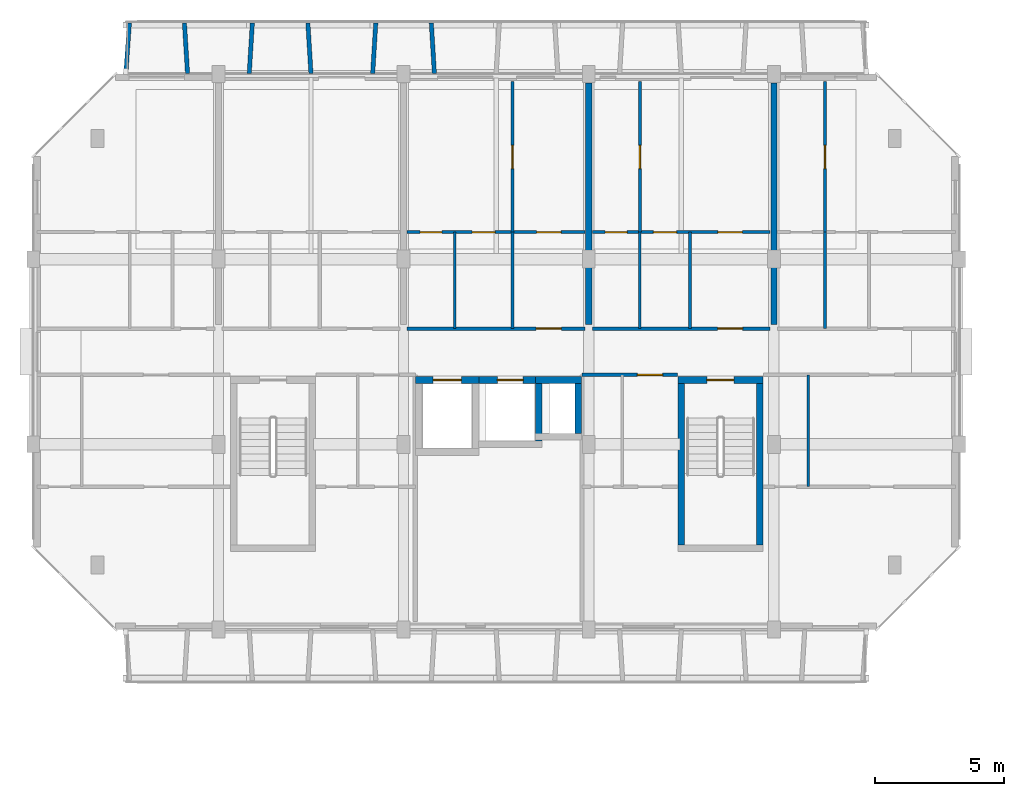
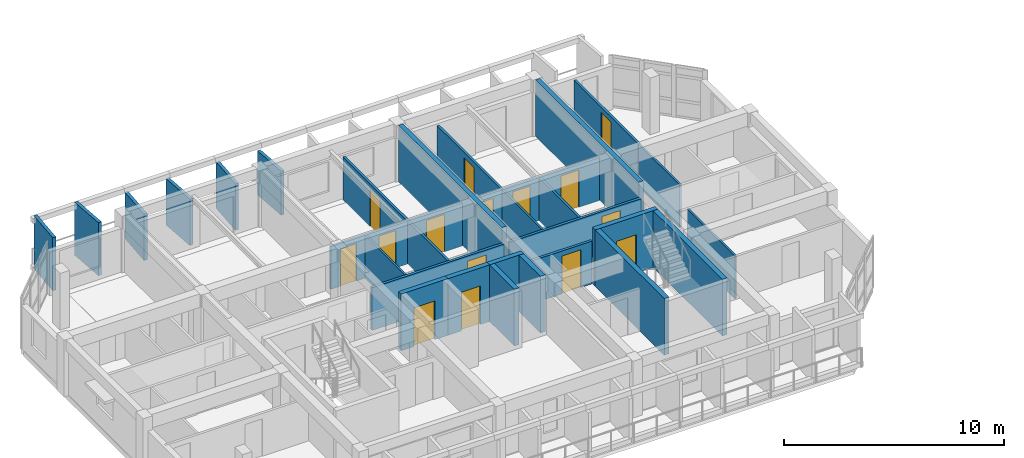
# One storey, part 27 of 51: 30 walls, 15 doors, 15 openings.
"""IFC4 building model written with IfcOpenShell, lengths in metres."""

from ifc_helpers import new_model, si_unit, direction, frame, frame_2d, origin, place, context, subcontext, project, spatial, rectangle, extrude, material, layer, layer_set, type_object, element, fill, save


model = new_model("IFC4")

# Units and contexts
model_context = context("Model", 3, precision=1e-05, world=origin(), true_north=direction((0.0, 1.0)))
body_context = subcontext(model_context, "Body", "Model", "MODEL_VIEW")
ifc_project = project(units=[si_unit("LENGTHUNIT", "METRE"), si_unit("AREAUNIT", "SQUARE_METRE"), si_unit("VOLUMEUNIT", "CUBIC_METRE"), si_unit("PLANEANGLEUNIT", "RADIAN"), si_unit("MASSUNIT", "GRAM", prefix="KILO")], contexts=[model_context])

# Site, building, storey
site_placement = place(None, origin())
site = spatial("IfcSite", under=ifc_project, at=site_placement, CompositionType="ELEMENT")
building_placement = place(site_placement, origin())
building = spatial("IfcBuilding", under=site, at=building_placement, Name="Ochrevale Crest", CompositionType="ELEMENT")
storey_placement = place(building_placement, frame((0.0, 0.0, 11.85009765625)))
storey = spatial("IfcBuildingStorey", under=building, at=storey_placement, Name="L03", CompositionType="ELEMENT", Elevation=11.85009765625)

# Wall, opening, door
ifc_material_1 = material(Name="Gypsum plasterboard", Category="gypsum")
ifc_layer_1 = layer(ifc_material_1, 0.139892578125)
ifc_layer_set_1 = layer_set([ifc_layer_1], Name="Gypsum plasterboard")
wall_type_1 = type_object("IfcWallType", Name="WL-COR-140", PredefinedType="PARTITIONING", material=ifc_layer_set_1)
wall_1_placement = place(storey_placement, frame((14.5400390625, 83.699951171875, 0.0), z_axis=(0.0, 0.0, 1.0), x_axis=(1.0, 0.0, 0.0)))
wall_1 = element("IfcWall", 1, at=wall_1_placement, inside=storey, type_object=wall_type_1, Name="Apartment B-L03-U3 corridor wall", PredefinedType="PARTITIONING", context=body_context, shape_type="SweptSolid", body=[
    extrude(rectangle(XDim=6.919921875, YDim=0.139892578125, at=frame_2d((3.4599609375, 0.0))), origin(), (0.0, 0.0, 1.0), 2.3798828125),
])
opening_1_placement = place(wall_1_placement, frame((6.0, 0.0, 0.0), z_axis=(0.0, 0.0, 1.0), x_axis=(-1.0, 0.0, 0.0)))
opening_1 = element("IfcOpeningElement", 2, at=opening_1_placement, cuts=wall_1, Name="Opening FD01", PredefinedType="OPENING", context=body_context, shape_type="SweptSolid", body=[
    extrude(rectangle(XDim=0.97998046875, YDim=2.10009765625, at=frame_2d((0.489990234375, 1.050048828125))), frame((0.0, 0.080078125, 0.0), z_axis=(0.0, -1.0, 0.0), x_axis=(1.0, 0.0, 0.0)), (0.0, 0.0, 1.0), 0.159912109375),
])
ifc_material_2 = material(Name="Solid-core FSC hardwood", Category="wood")
door_type_1 = type_object("IfcDoorType", Name="DR-APT-950", OperationType="NOTDEFINED", PredefinedType="DOOR", material=ifc_material_2)
door_1_placement = place(opening_1_placement, origin())
door_1 = element("IfcDoor", 3, at=door_1_placement, inside=storey, type_object=door_type_1, Name="Apartment B-L03-U3 entrance door", OperationType="SINGLE_SWING_RIGHT", OverallHeight=2.10009765625, OverallWidth=0.97998046875, PredefinedType="DOOR", context=body_context, shape_type="SweptSolid", body=[
    extrude(rectangle(XDim=0.97998046875, YDim=2.10009765625, at=frame_2d((0.489990234375, 1.050048828125))), frame((0.0, 0.02490234375, 0.0), z_axis=(0.0, -1.0, 0.0), x_axis=(1.0, 0.0, 0.0)), (0.0, 0.0, 1.0), 0.050048828125),
])
fill(opening_1, door_1)

wall_2_placement = place(storey_placement, frame((21.739990234375, 83.699951171875, 0.0), z_axis=(0.0, 0.0, 1.0), x_axis=(1.0, 0.0, 0.0)))
wall_2 = element("IfcWall", 4, at=wall_2_placement, inside=storey, type_object=wall_type_1, Name="Apartment B-L03-U4 corridor wall", PredefinedType="PARTITIONING", context=body_context, shape_type="SweptSolid", body=[
    extrude(rectangle(XDim=6.919921875, YDim=0.139892578125, at=frame_2d((3.4599609375, 0.0))), origin(), (0.0, 0.0, 1.0), 2.3798828125),
])
opening_2_placement = place(wall_2_placement, frame((4.8701171875, 0.0, 0.0)))
opening_2 = element("IfcOpeningElement", 5, at=opening_2_placement, cuts=wall_2, Name="Opening FD01", PredefinedType="OPENING", context=body_context, shape_type="SweptSolid", body=[
    extrude(rectangle(XDim=0.97998046875, YDim=2.10009765625, at=frame_2d((0.489990234375, 1.050048828125))), frame((0.0, 0.080078125, 0.0), z_axis=(0.0, -1.0, 0.0), x_axis=(1.0, 0.0, 0.0)), (0.0, 0.0, 1.0), 0.159912109375),
])
door_2_placement = place(opening_2_placement, origin())
door_2 = element("IfcDoor", 6, at=door_2_placement, inside=storey, type_object=door_type_1, Name="Apartment B-L03-U4 entrance door", OperationType="SINGLE_SWING_LEFT", OverallHeight=2.10009765625, OverallWidth=0.97998046875, PredefinedType="DOOR", context=body_context, shape_type="SweptSolid", body=[
    extrude(rectangle(XDim=0.97998046875, YDim=2.10009765625, at=frame_2d((0.489990234375, 1.050048828125))), frame((0.0, 0.02490234375, 0.0), z_axis=(0.0, -1.0, 0.0), x_axis=(1.0, 0.0, 0.0)), (0.0, 0.0, 1.0), 0.050048828125),
])
fill(opening_2, door_2)

wall_3_placement = place(storey_placement, frame((21.340087890625, 81.89990234375, 0.0), z_axis=(0.0, 0.0, 1.0), x_axis=(1.0, 0.0, 0.0)))
wall_3 = element("IfcWall", 7, at=wall_3_placement, inside=storey, type_object=wall_type_1, Name="Suite B-L03-ME corridor wall", PredefinedType="PARTITIONING", context=body_context, shape_type="SweptSolid", body=[
    extrude(rectangle(XDim=3.719970703125, YDim=0.139892578125, at=frame_2d((1.85986328125, 0.0))), origin(), (0.0, 0.0, 1.0), 2.3798828125),
])
opening_3_placement = place(wall_3_placement, frame((2.151123046875, 0.0, 0.0)))
opening_3 = element("IfcOpeningElement", 8, at=opening_3_placement, cuts=wall_3, Name="Opening FD01", PredefinedType="OPENING", context=body_context, shape_type="SweptSolid", body=[
    extrude(rectangle(XDim=0.97998046875, YDim=2.10009765625, at=frame_2d((0.489990234375, 1.050048828125))), frame((0.0, 0.080078125, 0.0), z_axis=(0.0, -1.0, 0.0), x_axis=(1.0, 0.0, 0.0)), (0.0, 0.0, 1.0), 0.159912109375),
])
door_3_placement = place(opening_3_placement, origin())
door_3 = element("IfcDoor", 9, at=door_3_placement, inside=storey, type_object=door_type_1, Name="Suite B-L03-ME entrance door", OperationType="SINGLE_SWING_LEFT", OverallHeight=2.10009765625, OverallWidth=0.97998046875, PredefinedType="DOOR", context=body_context, shape_type="SweptSolid", body=[
    extrude(rectangle(XDim=0.97998046875, YDim=2.10009765625, at=frame_2d((0.489990234375, 1.050048828125))), frame((0.0, 0.02490234375, 0.0), z_axis=(0.0, -1.0, 0.0), x_axis=(1.0, 0.0, 0.0)), (0.0, 0.0, 1.0), 0.050048828125),
])
fill(opening_3, door_3)

ifc_material_3 = material(Name="Precast concrete C50/60", Category="concrete")
ifc_layer_2 = layer(ifc_material_3, 0.2548828125)
ifc_layer_set_2 = layer_set([ifc_layer_2], Name="Precast concrete C50/60")
wall_type_2 = type_object("IfcWallType", Name="WL-CORE-255", PredefinedType="SHEAR", material=ifc_layer_set_2)
wall_4_placement = place(storey_placement, frame((25.072509765625, 81.699951171875, 0.0), z_axis=(0.0, 0.0, 1.0), x_axis=(1.0, 0.0, 0.0)))
wall_4 = element("IfcWall", 10, at=wall_4_placement, inside=storey, type_object=wall_type_2, Name="Block B L03 Stair 2 precast core shear wall N", PredefinedType="SHEAR", context=body_context, shape_type="SweptSolid", body=[
    extrude(rectangle(XDim=3.304931640625, YDim=0.2548828125, at=frame_2d((1.65234375, 0.0))), origin(), (0.0, 0.0, 1.0), 3.14990234375),
])
opening_4_placement = place(wall_4_placement, frame((1.12744140625, 0.0, 0.0)))
opening_4 = element("IfcOpeningElement", 11, at=opening_4_placement, cuts=wall_4, Name="Opening FD03", PredefinedType="OPENING", context=body_context, shape_type="SweptSolid", body=[
    extrude(rectangle(XDim=1.050048828125, YDim=2.1201171875, at=frame_2d((0.52490234375, 1.06005859375))), frame((0.0, 0.137451171875, 0.0), z_axis=(0.0, -1.0, 0.0), x_axis=(1.0, 0.0, 0.0)), (0.0, 0.0, 1.0), 0.27490234375),
])
door_type_2 = type_object("IfcDoorType", Name="DR-ST-1050", OperationType="NOTDEFINED", PredefinedType="DOOR", material=ifc_material_2)
door_4_placement = place(opening_4_placement, origin())
door_4 = element("IfcDoor", 12, at=door_4_placement, inside=storey, type_object=door_type_2, Name="Block B L03 fire stair 2 door", OperationType="SINGLE_SWING_LEFT", OverallHeight=2.1201171875, OverallWidth=1.050048828125, PredefinedType="DOOR", context=body_context, shape_type="SweptSolid", body=[
    extrude(rectangle(XDim=1.050048828125, YDim=2.1201171875, at=frame_2d((0.52490234375, 1.06005859375))), frame((0.0, 0.02490234375, 0.0), z_axis=(0.0, -1.0, 0.0), x_axis=(1.0, 0.0, 0.0)), (0.0, 0.0, 1.0), 0.050048828125),
])
fill(opening_4, door_4)

# Walls
for number, where, z_axis, x_axis, name in (
    (13, (25.199951171875, 75.277587890625, 0.0), (0.0, 0.0, 1.0), (0.0, 1.0, 0.0), "Block B L03 Stair 2 precast core shear wall W"),
    (14, (28.25, 75.277587890625, 0.0), (0.0, 0.0, 1.0), (0.0, 1.0, 0.0), "Block B L03 Stair 2 precast core shear wall E"),
):
    element("IfcWall", number, at=place(storey_placement, frame(where, z_axis=z_axis, x_axis=x_axis)), inside=storey, type_object=wall_type_2, Name=name, PredefinedType="SHEAR", context=body_context, shape_type="SweptSolid", body=[
        extrude(rectangle(XDim=6.294921875, YDim=0.2548828125, at=frame_2d((3.1474609375, 0.0))), origin(), (0.0, 0.0, 1.0), 3.14990234375),
    ])

# Wall, opening, door
wall_5_placement = place(storey_placement, frame((14.87255859375, 81.699951171875, 0.0), z_axis=(0.0, 0.0, 1.0), x_axis=(1.0, 0.0, 0.0)))
wall_5 = element("IfcWall", 15, at=wall_5_placement, inside=storey, type_object=wall_type_2, Name="Block B L03 Lift 1 precast shaft shear wall N", PredefinedType="SHEAR", context=body_context, shape_type="SweptSolid", body=[
    extrude(rectangle(XDim=2.454833984375, YDim=0.2548828125, at=frame_2d((1.2275390625, 0.0))), origin(), (0.0, 0.0, 1.0), 3.14990234375),
])
opening_5_placement = place(wall_5_placement, frame((0.677490234375, 0.0, 0.0)))
opening_5 = element("IfcOpeningElement", 16, at=opening_5_placement, cuts=wall_5, Name="Opening LD01", PredefinedType="OPENING", context=body_context, shape_type="SweptSolid", body=[
    extrude(rectangle(XDim=1.10009765625, YDim=2.14990234375, at=frame_2d((0.550048828125, 1.074951171875))), frame((0.0, 0.137451171875, 0.0), z_axis=(0.0, -1.0, 0.0), x_axis=(1.0, 0.0, 0.0)), (0.0, 0.0, 1.0), 0.27490234375),
])
door_type_3 = type_object("IfcDoorType", Name="DR-LIFT-1100", OperationType="NOTDEFINED", PredefinedType="DOOR", material=ifc_material_2)
door_5_placement = place(opening_5_placement, origin())
door_5 = element("IfcDoor", 17, at=door_5_placement, inside=storey, type_object=door_type_3, Name="Lift LF-B1 L03 sliding landing door", OperationType="SLIDING_TO_LEFT", OverallHeight=2.14990234375, OverallWidth=1.10009765625, PredefinedType="DOOR", context=body_context, shape_type="SweptSolid", body=[
    extrude(rectangle(XDim=1.10009765625, YDim=2.14990234375, at=frame_2d((0.550048828125, 1.074951171875))), frame((0.0, 0.02490234375, 0.0), z_axis=(0.0, -1.0, 0.0), x_axis=(1.0, 0.0, 0.0)), (0.0, 0.0, 1.0), 0.050048828125),
])
fill(opening_5, door_5)

wall_6_placement = place(storey_placement, frame((17.322509765625, 81.699951171875, 0.0), z_axis=(0.0, 0.0, 1.0), x_axis=(1.0, 0.0, 0.0)))
wall_6 = element("IfcWall", 18, at=wall_6_placement, inside=storey, type_object=wall_type_2, Name="Block B L03 Lift 2 precast shaft shear wall N", PredefinedType="SHEAR", context=body_context, shape_type="SweptSolid", body=[
    extrude(rectangle(XDim=2.455078125, YDim=0.2548828125, at=frame_2d((1.2275390625, 0.0))), origin(), (0.0, 0.0, 1.0), 3.14990234375),
])
opening_6_placement = place(wall_6_placement, frame((0.7275390625, 0.0, 0.0)))
opening_6 = element("IfcOpeningElement", 19, at=opening_6_placement, cuts=wall_6, Name="Opening LD02", PredefinedType="OPENING", context=body_context, shape_type="SweptSolid", body=[
    extrude(rectangle(XDim=1.0, YDim=2.14990234375, at=frame_2d((0.5, 1.074951171875))), frame((0.0, 0.137451171875, 0.0), z_axis=(0.0, -1.0, 0.0), x_axis=(1.0, 0.0, 0.0)), (0.0, 0.0, 1.0), 0.27490234375),
])
door_type_4 = type_object("IfcDoorType", Name="DR-LIFT-1000", OperationType="NOTDEFINED", PredefinedType="DOOR", material=ifc_material_2)
door_6_placement = place(opening_6_placement, origin())
door_6 = element("IfcDoor", 20, at=door_6_placement, inside=storey, type_object=door_type_4, Name="Lift LP-B2 L03 sliding landing door", OperationType="SLIDING_TO_RIGHT", OverallHeight=2.14990234375, OverallWidth=1.0, PredefinedType="DOOR", context=body_context, shape_type="SweptSolid", body=[
    extrude(rectangle(XDim=1.0, YDim=2.14990234375, at=frame_2d((0.5, 1.074951171875))), frame((0.0, 0.02490234375, 0.0), z_axis=(0.0, -1.0, 0.0), x_axis=(1.0, 0.0, 0.0)), (0.0, 0.0, 1.0), 0.050048828125),
])
fill(opening_6, door_6)

# Walls
wall_7_placement = place(storey_placement, frame((19.64990234375, 79.327392578125, 0.0), z_axis=(0.0, 0.0, 1.0), x_axis=(0.0, 1.0, 0.0)))
element("IfcWall", 21, at=wall_7_placement, inside=storey, type_object=wall_type_2, Name="Block B L03 Lift 2 precast shaft shear wall E", PredefinedType="SHEAR", context=body_context, shape_type="SweptSolid", body=[
    extrude(rectangle(XDim=2.2451171875, YDim=0.2548828125, at=frame_2d((1.12255859375, 0.0))), origin(), (0.0, 0.0, 1.0), 3.14990234375),
])
wall_8_placement = place(storey_placement, frame((19.5224609375, 81.699951171875, 0.0), z_axis=(0.0, 0.0, 1.0), x_axis=(1.0, 0.0, 0.0)))
element("IfcWall", 22, at=wall_8_placement, inside=storey, type_object=wall_type_2, Name="Block B L03 services riser shaft core wall N", PredefinedType="SHEAR", context=body_context, shape_type="SweptSolid", body=[
    extrude(rectangle(XDim=1.804931640625, YDim=0.2548828125, at=frame_2d((0.90234375, 0.0))), origin(), (0.0, 0.0, 1.0), 3.14990234375),
])
wall_9_placement = place(storey_placement, frame((21.199951171875, 79.62744140625, 0.0), z_axis=(0.0, 0.0, 1.0), x_axis=(0.0, 1.0, 0.0)))
element("IfcWall", 23, at=wall_9_placement, inside=storey, type_object=wall_type_2, Name="Block B L03 services riser shaft core wall E", PredefinedType="SHEAR", context=body_context, shape_type="SweptSolid", body=[
    extrude(rectangle(XDim=1.945068359375, YDim=0.2548828125, at=frame_2d((0.97265625, 0.0))), origin(), (0.0, 0.0, 1.0), 3.14990234375),
])
ifc_material_4 = material(Name="Precast concrete C40/50", Category="concrete")
ifc_layer_3 = layer(ifc_material_4, 0.1650390625)
ifc_layer_set_3 = layer_set([ifc_layer_3], Name="Precast concrete C40/50")
wall_type_3 = type_object("IfcWallType", Name="WL-HC-CHEEK-165", PredefinedType="ELEMENTEDWALL", material=ifc_layer_set_3)
wall_10_placement = place(storey_placement, frame((3.60009765625, 93.6201171875, 0.0), z_axis=(0.0, 0.0, 1.0), x_axis=(0.071194071069, 0.997462482625, 0.0)))
element("IfcWall", 24, at=wall_10_placement, inside=storey, type_object=wall_type_3, Name="Block B L03 N precast honeycomb cheek 1", PredefinedType="ELEMENTEDWALL", context=body_context, shape_type="SweptSolid", body=[
    extrude(rectangle(XDim=1.96484375, YDim=0.1650390625, at=frame_2d((0.982421875, 0.0))), origin(), (0.0, 0.0, 1.0), 2.949951171875),
])
wall_11_placement = place(storey_placement, frame((6.0, 93.6201171875, 0.0), z_axis=(0.0, 0.0, 1.0), x_axis=(-0.061170732449, 0.998127317276, 0.0)))
element("IfcWall", 25, at=wall_11_placement, inside=storey, type_object=wall_type_3, Name="Block B L03 N precast honeycomb cheek 2", PredefinedType="ELEMENTEDWALL", context=body_context, shape_type="SweptSolid", body=[
    extrude(rectangle(XDim=1.963623046875, YDim=0.1650390625, at=frame_2d((0.98193359375, 0.0))), origin(), (0.0, 0.0, 1.0), 2.949951171875),
])
for number, where, z_axis, x_axis, name in (
    (26, (8.39990234375, 93.6201171875, 0.0), (0.0, 0.0, 1.0), (0.061170732449, 0.998127317276, 0.0), "Block B L03 N precast honeycomb cheek 3"),
    (27, (10.800048828125, 93.6201171875, 0.0), (0.0, 0.0, 1.0), (-0.061170732449, 0.998127317276, 0.0), "Block B L03 N precast honeycomb cheek 4"),
    (28, (13.199951171875, 93.6201171875, 0.0), (0.0, 0.0, 1.0), (0.061170732449, 0.998127317276, 0.0), "Block B L03 N precast honeycomb cheek 5"),
):
    element("IfcWall", number, at=place(storey_placement, frame(where, z_axis=z_axis, x_axis=x_axis)), inside=storey, type_object=wall_type_3, Name=name, PredefinedType="ELEMENTEDWALL", context=body_context, shape_type="SweptSolid", body=[
        extrude(rectangle(XDim=1.963623046875, YDim=0.1650390625, at=frame_2d((0.98193359375, 0.0))), origin(), (0.0, 0.0, 1.0), 2.579833984375),
    ])
wall_12_placement = place(storey_placement, frame((15.60009765625, 93.6201171875, 0.0), z_axis=(0.0, 0.0, 1.0), x_axis=(-0.061170732449, 0.998127317276, 0.0)))
element("IfcWall", 29, at=wall_12_placement, inside=storey, type_object=wall_type_3, Name="Block B L03 N precast honeycomb cheek 6", PredefinedType="ELEMENTEDWALL", context=body_context, shape_type="SweptSolid", body=[
    extrude(rectangle(XDim=1.963623046875, YDim=0.1650390625, at=frame_2d((0.98193359375, 0.0))), origin(), (0.0, 0.0, 1.0), 2.449951171875),
])
ifc_layer_4 = layer(ifc_material_1, 0.1201171875)
ifc_layer_set_4 = layer_set([ifc_layer_4], Name="Gypsum plasterboard")
wall_type_4 = type_object("IfcWallType", Name="WL-PART-120", PredefinedType="PARTITIONING", material=ifc_layer_set_4)
wall_13_placement = place(storey_placement, frame((18.639892578125, 83.699951171875, 0.0), z_axis=(0.0, 0.0, 1.0), x_axis=(0.0, 1.0, 0.0)))
element("IfcWall", 30, at=wall_13_placement, inside=storey, type_object=wall_type_4, Name="Apartment B-L03-U3 kitchen-foyer wall", PredefinedType="PARTITIONING", context=body_context, shape_type="SweptSolid", body=[
    extrude(rectangle(XDim=3.75, YDim=0.1201171875, at=frame_2d((1.875, 0.0))), origin(), (0.0, 0.0, 1.0), 2.375),
])

# Wall, openings, doors
wall_14_placement = place(storey_placement, frame((14.5400390625, 87.449951171875, 0.0), z_axis=(0.0, 0.0, 1.0), x_axis=(1.0, 0.0, 0.0)))
wall_14 = element("IfcWall", 31, at=wall_14_placement, inside=storey, type_object=wall_type_4, Name="Apartment B-L03-U3 central partition", PredefinedType="PARTITIONING", context=body_context, shape_type="SweptSolid", body=[
    extrude(rectangle(XDim=6.919921875, YDim=0.1201171875, at=frame_2d((3.4599609375, 0.0))), origin(), (0.0, 0.0, 1.0), 2.3798828125),
])
opening_7_placement = place(wall_14_placement, frame((0.5, 0.0, 0.0)))
opening_7 = element("IfcOpeningElement", 32, at=opening_7_placement, cuts=wall_14, Name="Opening ID01", PredefinedType="OPENING", context=body_context, shape_type="SweptSolid", body=[
    extrude(rectangle(XDim=0.85009765625, YDim=2.080078125, at=frame_2d((0.425048828125, 1.0400390625))), frame((0.0, 0.070068359375, 0.0), z_axis=(0.0, -1.0, 0.0), x_axis=(1.0, 0.0, 0.0)), (0.0, 0.0, 1.0), 0.14013671875),
])
opening_8_placement = place(wall_14_placement, frame((3.4248046875, 0.0, 0.0), z_axis=(0.0, 0.0, 1.0), x_axis=(-1.0, 0.0, 0.0)))
opening_8 = element("IfcOpeningElement", 33, at=opening_8_placement, cuts=wall_14, Name="Opening ID02", PredefinedType="OPENING", context=body_context, shape_type="SweptSolid", body=[
    extrude(rectangle(XDim=0.89990234375, YDim=2.080078125, at=frame_2d((0.449951171875, 1.0400390625))), frame((0.0, 0.070068359375, 0.0), z_axis=(0.0, -1.0, 0.0), x_axis=(1.0, 0.0, 0.0)), (0.0, 0.0, 1.0), 0.14013671875),
])
opening_9_placement = place(wall_14_placement, frame((5.034912109375, 0.0, 0.0)))
opening_9 = element("IfcOpeningElement", 34, at=opening_9_placement, cuts=wall_14, Name="Opening ID06", PredefinedType="OPENING", context=body_context, shape_type="SweptSolid", body=[
    extrude(rectangle(XDim=0.949951171875, YDim=2.080078125, at=frame_2d((0.47509765625, 1.0400390625))), frame((0.0, 0.070068359375, 0.0), z_axis=(0.0, -1.0, 0.0), x_axis=(1.0, 0.0, 0.0)), (0.0, 0.0, 1.0), 0.14013671875),
])
door_type_5 = type_object("IfcDoorType", Name="DR-INT-900", OperationType="NOTDEFINED", PredefinedType="DOOR", material=ifc_material_2)
door_7_placement = place(opening_8_placement, origin())
door_7 = element("IfcDoor", 35, at=door_7_placement, inside=storey, type_object=door_type_5, Name="Apartment B-L03-U3 Kitchen door", OperationType="SINGLE_SWING_RIGHT", OverallHeight=2.080078125, OverallWidth=0.89990234375, PredefinedType="DOOR", context=body_context, shape_type="SweptSolid", body=[
    extrude(rectangle(XDim=0.89990234375, YDim=2.080078125, at=frame_2d((0.449951171875, 1.0400390625))), frame((0.0, 0.02490234375, 0.0), z_axis=(0.0, -1.0, 0.0), x_axis=(1.0, 0.0, 0.0)), (0.0, 0.0, 1.0), 0.050048828125),
])
fill(opening_8, door_7)
door_type_6 = type_object("IfcDoorType", Name="DR-INT-950", OperationType="NOTDEFINED", PredefinedType="DOOR", material=ifc_material_2)
door_8_placement = place(opening_9_placement, origin())
door_8 = element("IfcDoor", 36, at=door_8_placement, inside=storey, type_object=door_type_6, Name="Apartment B-L03-U3 Living Foyer door", OperationType="SINGLE_SWING_LEFT", OverallHeight=2.080078125, OverallWidth=0.949951171875, PredefinedType="DOOR", context=body_context, shape_type="SweptSolid", body=[
    extrude(rectangle(XDim=0.949951171875, YDim=2.080078125, at=frame_2d((0.47509765625, 1.0400390625))), frame((0.0, 0.02490234375, 0.0), z_axis=(0.0, -1.0, 0.0), x_axis=(1.0, 0.0, 0.0)), (0.0, 0.0, 1.0), 0.050048828125),
])
fill(opening_9, door_8)
door_type_7 = type_object("IfcDoorType", Name="DR-WC-850", OperationType="NOTDEFINED", PredefinedType="DOOR", material=ifc_material_2)
door_9_placement = place(opening_7_placement, origin())
door_9 = element("IfcDoor", 37, at=door_9_placement, inside=storey, type_object=door_type_7, Name="Apartment B-L03-U3 Bathroom door", OperationType="SINGLE_SWING_LEFT", OverallHeight=2.080078125, OverallWidth=0.85009765625, PredefinedType="DOOR", context=body_context, shape_type="SweptSolid", body=[
    extrude(rectangle(XDim=0.85009765625, YDim=2.080078125, at=frame_2d((0.425048828125, 1.0400390625))), frame((0.0, 0.02490234375, 0.0), z_axis=(0.0, -1.0, 0.0), x_axis=(1.0, 0.0, 0.0)), (0.0, 0.0, 1.0), 0.050048828125),
])
fill(opening_7, door_9)

# Wall, opening, door
wall_15_placement = place(storey_placement, frame((18.639892578125, 87.449951171875, 0.0), z_axis=(0.0, 0.0, 1.0), x_axis=(0.0, 1.0, 0.0)))
wall_15 = element("IfcWall", 38, at=wall_15_placement, inside=storey, type_object=wall_type_4, Name="Apartment B-L03-U3 bedroom partition", PredefinedType="PARTITIONING", context=body_context, shape_type="SweptSolid", body=[
    extrude(rectangle(XDim=5.85009765625, YDim=0.1201171875, at=frame_2d((2.925048828125, 0.0))), origin(), (0.0, 0.0, 1.0), 2.3798828125),
])
opening_10_placement = place(wall_15_placement, frame((3.375, 0.0, 0.0), z_axis=(0.0, 0.0, 1.0), x_axis=(-1.0, 0.0, 0.0)))
opening_10 = element("IfcOpeningElement", 39, at=opening_10_placement, cuts=wall_15, Name="Opening ID02", PredefinedType="OPENING", context=body_context, shape_type="SweptSolid", body=[
    extrude(rectangle(XDim=0.89990234375, YDim=2.080078125, at=frame_2d((0.449951171875, 1.0400390625))), frame((0.0, 0.070068359375, 0.0), z_axis=(0.0, -1.0, 0.0), x_axis=(1.0, 0.0, 0.0)), (0.0, 0.0, 1.0), 0.14013671875),
])
door_10_placement = place(opening_10_placement, origin())
door_10 = element("IfcDoor", 40, at=door_10_placement, inside=storey, type_object=door_type_5, Name="Apartment B-L03-U3 Double Bedroom door", OperationType="SINGLE_SWING_RIGHT", OverallHeight=2.080078125, OverallWidth=0.89990234375, PredefinedType="DOOR", context=body_context, shape_type="SweptSolid", body=[
    extrude(rectangle(XDim=0.89990234375, YDim=2.080078125, at=frame_2d((0.449951171875, 1.0400390625))), frame((0.0, 0.02490234375, 0.0), z_axis=(0.0, -1.0, 0.0), x_axis=(1.0, 0.0, 0.0)), (0.0, 0.0, 1.0), 0.050048828125),
])
fill(opening_10, door_10)

# Wall
wall_16_placement = place(storey_placement, frame((25.5400390625, 83.699951171875, 0.0), z_axis=(0.0, 0.0, 1.0), x_axis=(0.0, 1.0, 0.0)))
element("IfcWall", 41, at=wall_16_placement, inside=storey, type_object=wall_type_4, Name="Apartment B-L03-U4 kitchen-foyer wall", PredefinedType="PARTITIONING", context=body_context, shape_type="SweptSolid", body=[
    extrude(rectangle(XDim=3.75, YDim=0.1201171875, at=frame_2d((1.875, 0.0))), origin(), (0.0, 0.0, 1.0), 2.375),
])

# Wall, openings, doors
wall_17_placement = place(storey_placement, frame((21.739990234375, 87.449951171875, 0.0), z_axis=(0.0, 0.0, 1.0), x_axis=(1.0, 0.0, 0.0)))
wall_17 = element("IfcWall", 42, at=wall_17_placement, inside=storey, type_object=wall_type_4, Name="Apartment B-L03-U4 central partition", PredefinedType="PARTITIONING", context=body_context, shape_type="SweptSolid", body=[
    extrude(rectangle(XDim=6.919921875, YDim=0.1201171875, at=frame_2d((3.4599609375, 0.0))), origin(), (0.0, 0.0, 1.0), 2.3798828125),
])
opening_11_placement = place(wall_17_placement, frame((1.35009765625, 0.0, 0.0), z_axis=(0.0, 0.0, 1.0), x_axis=(-1.0, 0.0, 0.0)))
opening_11 = element("IfcOpeningElement", 43, at=opening_11_placement, cuts=wall_17, Name="Opening ID01", PredefinedType="OPENING", context=body_context, shape_type="SweptSolid", body=[
    extrude(rectangle(XDim=0.85009765625, YDim=2.080078125, at=frame_2d((0.425048828125, 1.0400390625))), frame((0.0, 0.070068359375, 0.0), z_axis=(0.0, -1.0, 0.0), x_axis=(1.0, 0.0, 0.0)), (0.0, 0.0, 1.0), 0.14013671875),
])
opening_12_placement = place(wall_17_placement, frame((2.375, 0.0, 0.0)))
opening_12 = element("IfcOpeningElement", 44, at=opening_12_placement, cuts=wall_17, Name="Opening ID02", PredefinedType="OPENING", context=body_context, shape_type="SweptSolid", body=[
    extrude(rectangle(XDim=0.89990234375, YDim=2.080078125, at=frame_2d((0.449951171875, 1.0400390625))), frame((0.0, 0.070068359375, 0.0), z_axis=(0.0, -1.0, 0.0), x_axis=(1.0, 0.0, 0.0)), (0.0, 0.0, 1.0), 0.14013671875),
])
opening_13_placement = place(wall_17_placement, frame((5.8349609375, 0.0, 0.0), z_axis=(0.0, 0.0, 1.0), x_axis=(-1.0, 0.0, 0.0)))
opening_13 = element("IfcOpeningElement", 45, at=opening_13_placement, cuts=wall_17, Name="Opening ID06", PredefinedType="OPENING", context=body_context, shape_type="SweptSolid", body=[
    extrude(rectangle(XDim=0.949951171875, YDim=2.080078125, at=frame_2d((0.47509765625, 1.0400390625))), frame((0.0, 0.070068359375, 0.0), z_axis=(0.0, -1.0, 0.0), x_axis=(1.0, 0.0, 0.0)), (0.0, 0.0, 1.0), 0.14013671875),
])
door_11_placement = place(opening_12_placement, origin())
door_11 = element("IfcDoor", 46, at=door_11_placement, inside=storey, type_object=door_type_5, Name="Apartment B-L03-U4 Kitchen door", OperationType="SINGLE_SWING_LEFT", OverallHeight=2.080078125, OverallWidth=0.89990234375, PredefinedType="DOOR", context=body_context, shape_type="SweptSolid", body=[
    extrude(rectangle(XDim=0.89990234375, YDim=2.080078125, at=frame_2d((0.449951171875, 1.0400390625))), frame((0.0, 0.02490234375, 0.0), z_axis=(0.0, -1.0, 0.0), x_axis=(1.0, 0.0, 0.0)), (0.0, 0.0, 1.0), 0.050048828125),
])
fill(opening_12, door_11)
door_12_placement = place(opening_13_placement, origin())
door_12 = element("IfcDoor", 47, at=door_12_placement, inside=storey, type_object=door_type_6, Name="Apartment B-L03-U4 Living Foyer door", OperationType="SINGLE_SWING_RIGHT", OverallHeight=2.080078125, OverallWidth=0.949951171875, PredefinedType="DOOR", context=body_context, shape_type="SweptSolid", body=[
    extrude(rectangle(XDim=0.949951171875, YDim=2.080078125, at=frame_2d((0.47509765625, 1.0400390625))), frame((0.0, 0.02490234375, 0.0), z_axis=(0.0, -1.0, 0.0), x_axis=(1.0, 0.0, 0.0)), (0.0, 0.0, 1.0), 0.050048828125),
])
fill(opening_13, door_12)
door_13_placement = place(opening_11_placement, origin())
door_13 = element("IfcDoor", 48, at=door_13_placement, inside=storey, type_object=door_type_7, Name="Apartment B-L03-U4 Bathroom door", OperationType="SINGLE_SWING_RIGHT", OverallHeight=2.080078125, OverallWidth=0.85009765625, PredefinedType="DOOR", context=body_context, shape_type="SweptSolid", body=[
    extrude(rectangle(XDim=0.85009765625, YDim=2.080078125, at=frame_2d((0.425048828125, 1.0400390625))), frame((0.0, 0.02490234375, 0.0), z_axis=(0.0, -1.0, 0.0), x_axis=(1.0, 0.0, 0.0)), (0.0, 0.0, 1.0), 0.050048828125),
])
fill(opening_11, door_13)

# Wall, opening, door
wall_18_placement = place(storey_placement, frame((23.590087890625, 87.449951171875, 0.0), z_axis=(0.0, 0.0, 1.0), x_axis=(0.0, 1.0, 0.0)))
wall_18 = element("IfcWall", 49, at=wall_18_placement, inside=storey, type_object=wall_type_4, Name="Apartment B-L03-U4 bedroom partition", PredefinedType="PARTITIONING", context=body_context, shape_type="SweptSolid", body=[
    extrude(rectangle(XDim=5.85009765625, YDim=0.1201171875, at=frame_2d((2.925048828125, 0.0))), origin(), (0.0, 0.0, 1.0), 2.3798828125),
])
opening_14_placement = place(wall_18_placement, frame((2.47509765625, 0.0, 0.0)))
opening_14 = element("IfcOpeningElement", 50, at=opening_14_placement, cuts=wall_18, Name="Opening ID02", PredefinedType="OPENING", context=body_context, shape_type="SweptSolid", body=[
    extrude(rectangle(XDim=0.89990234375, YDim=2.080078125, at=frame_2d((0.449951171875, 1.0400390625))), frame((0.0, 0.070068359375, 0.0), z_axis=(0.0, -1.0, 0.0), x_axis=(1.0, 0.0, 0.0)), (0.0, 0.0, 1.0), 0.14013671875),
])
door_14_placement = place(opening_14_placement, origin())
door_14 = element("IfcDoor", 51, at=door_14_placement, inside=storey, type_object=door_type_5, Name="Apartment B-L03-U4 Master Bedroom door", OperationType="SINGLE_SWING_LEFT", OverallHeight=2.080078125, OverallWidth=0.89990234375, PredefinedType="DOOR", context=body_context, shape_type="SweptSolid", body=[
    extrude(rectangle(XDim=0.89990234375, YDim=2.080078125, at=frame_2d((0.449951171875, 1.0400390625))), frame((0.0, 0.02490234375, 0.0), z_axis=(0.0, -1.0, 0.0), x_axis=(1.0, 0.0, 0.0)), (0.0, 0.0, 1.0), 0.050048828125),
])
fill(opening_14, door_14)

wall_19_placement = place(storey_placement, frame((30.7900390625, 87.449951171875, 0.0), z_axis=(0.0, 0.0, 1.0), x_axis=(0.0, 1.0, 0.0)))
wall_19 = element("IfcWall", 52, at=wall_19_placement, inside=storey, type_object=wall_type_4, Name="Apartment B-L03-U5 bedroom partition", PredefinedType="PARTITIONING", context=body_context, shape_type="SweptSolid", body=[
    extrude(rectangle(XDim=5.85009765625, YDim=0.1201171875, at=frame_2d((2.925048828125, 0.0))), origin(), (0.0, 0.0, 1.0), 2.3798828125),
])
opening_15_placement = place(wall_19_placement, frame((3.375, 0.0, 0.0), z_axis=(0.0, 0.0, 1.0), x_axis=(-1.0, 0.0, 0.0)))
opening_15 = element("IfcOpeningElement", 53, at=opening_15_placement, cuts=wall_19, Name="Opening ID02", PredefinedType="OPENING", context=body_context, shape_type="SweptSolid", body=[
    extrude(rectangle(XDim=0.89990234375, YDim=2.080078125, at=frame_2d((0.449951171875, 1.0400390625))), frame((0.0, 0.070068359375, 0.0), z_axis=(0.0, -1.0, 0.0), x_axis=(1.0, 0.0, 0.0)), (0.0, 0.0, 1.0), 0.14013671875),
])
door_15_placement = place(opening_15_placement, origin())
door_15 = element("IfcDoor", 54, at=door_15_placement, inside=storey, type_object=door_type_5, Name="Apartment B-L03-U5 Twin Bedroom door", OperationType="SINGLE_SWING_RIGHT", OverallHeight=2.080078125, OverallWidth=0.89990234375, PredefinedType="DOOR", context=body_context, shape_type="SweptSolid", body=[
    extrude(rectangle(XDim=0.89990234375, YDim=2.080078125, at=frame_2d((0.449951171875, 1.0400390625))), frame((0.0, 0.02490234375, 0.0), z_axis=(0.0, -1.0, 0.0), x_axis=(1.0, 0.0, 0.0)), (0.0, 0.0, 1.0), 0.050048828125),
])
fill(opening_15, door_15)

# Walls
ifc_layer_5 = layer(ifc_material_3, 0.239990234375)
ifc_layer_set_5 = layer_set([ifc_layer_5], Name="Precast concrete C50/60")
wall_type_5 = type_object("IfcWallType", Name="WL-SHEAR-240", PredefinedType="SHEAR", material=ifc_layer_set_5)
for number, where, z_axis, x_axis, name in (
    (55, (21.60009765625, 83.85009765625, 0.0), (0.0, 0.0, 1.0), (0.0, 1.0, 0.0), "Block B L03 load-bearing precast cross-wall X=21.6"),
    (56, (28.800048828125, 83.85009765625, 0.0), (0.0, 0.0, 1.0), (0.0, 1.0, 0.0), "Block B L03 load-bearing precast cross-wall X=28.8"),
):
    element("IfcWall", number, at=place(storey_placement, frame(where, z_axis=z_axis, x_axis=x_axis)), inside=storey, type_object=wall_type_5, Name=name, PredefinedType="SHEAR", context=body_context, shape_type="SweptSolid", body=[
        extrude(rectangle(XDim=9.39990234375, YDim=0.239990234375, at=frame_2d((4.699951171875, 0.0))), origin(), (0.0, 0.0, 1.0), 3.14990234375),
    ])
ifc_layer_6 = layer(ifc_material_1, 0.10009765625)
ifc_layer_set_6 = layer_set([ifc_layer_6], Name="Gypsum plasterboard")
wall_type_6 = type_object("IfcWallType", Name="WL-WET-100", PredefinedType="PARTITIONING", material=ifc_layer_set_6)
for number, where, z_axis, x_axis, name in (
    (57, (16.389892578125, 83.699951171875, 0.0), (0.0, 0.0, 1.0), (0.0, 1.0, 0.0), "Apartment B-L03-U3 bath-kitchen wall"),
    (58, (23.590087890625, 83.699951171875, 0.0), (0.0, 0.0, 1.0), (0.0, 1.0, 0.0), "Apartment B-L03-U4 bath-kitchen wall"),
    (59, (30.7900390625, 83.699951171875, 0.0), (0.0, 0.0, 1.0), (0.0, 1.0, 0.0), "Apartment B-L03-U5 bath-kitchen wall"),
):
    element("IfcWall", number, at=place(storey_placement, frame(where, z_axis=z_axis, x_axis=x_axis)), inside=storey, type_object=wall_type_6, Name=name, PredefinedType="PARTITIONING", context=body_context, shape_type="SweptSolid", body=[
        extrude(rectangle(XDim=3.75, YDim=0.10009765625, at=frame_2d((1.875, 0.0))), origin(), (0.0, 0.0, 1.0), 2.375),
    ])
wall_20_placement = place(storey_placement, frame((30.139892578125, 77.550048828125, 0.0), z_axis=(0.0, 0.0, 1.0), x_axis=(0.0, 1.0, 0.0)))
element("IfcWall", 60, at=wall_20_placement, inside=storey, type_object=wall_type_6, Name="Suite B-L03-CE bathroom divider", PredefinedType="PARTITIONING", context=body_context, shape_type="SweptSolid", body=[
    extrude(rectangle(XDim=4.349853515625, YDim=0.10009765625, at=frame_2d((2.1748046875, 0.0))), origin(), (0.0, 0.0, 1.0), 2.375),
])

save(model, "model.ifc")
